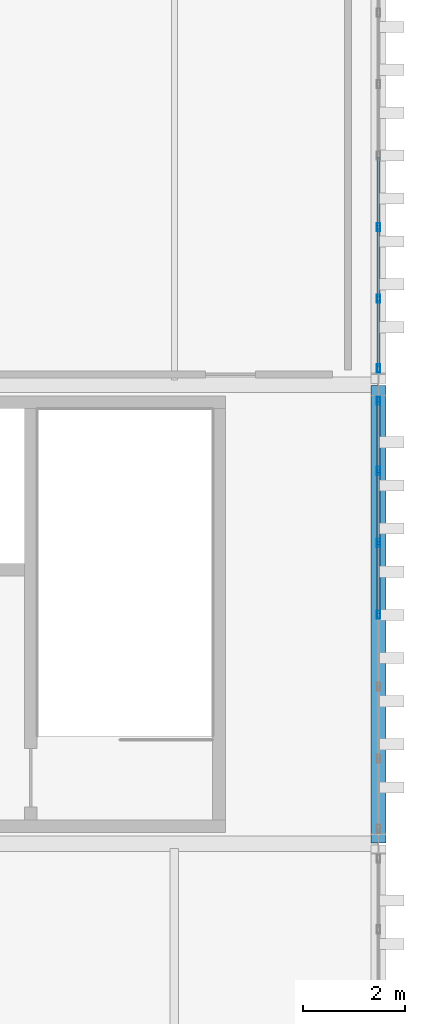
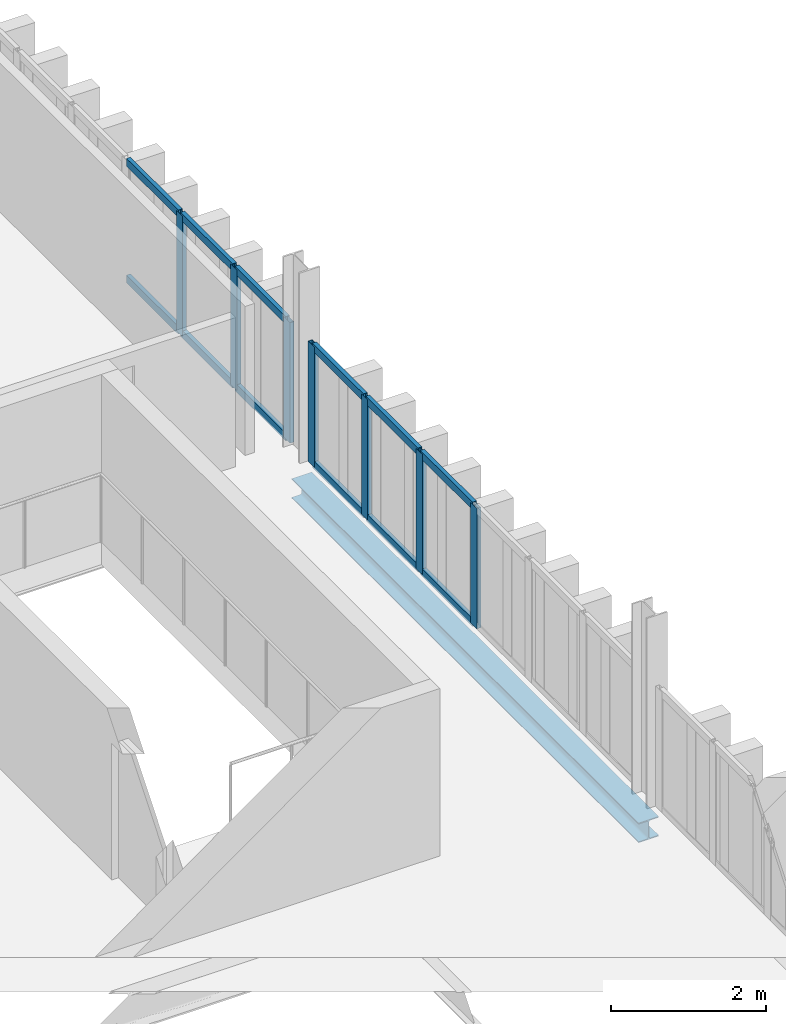
# One storey, part 22 of 58: 19 members, 1 beam, 2 elements without a shape of their own.
"""IFC4 building model written with IfcOpenShell, lengths in metres."""

from ifc_helpers import new_model, si_unit, direction, frame, origin, origin_2d, place, context, subcontext, project, spatial, hollow_rectangle, i_section, extrude, material, layer, layer_set, material_profile, profile_set, type_object, element, aggregate, save


model = new_model("IFC4")

# Units and contexts
model_context = context("Model", 3, precision=1e-05, world=origin(), true_north=direction((0.0, 1.0)))
body_context = subcontext(model_context, "Body", "Model", "MODEL_VIEW")
ifc_project = project(units=[si_unit("LENGTHUNIT", "METRE"), si_unit("AREAUNIT", "SQUARE_METRE"), si_unit("VOLUMEUNIT", "CUBIC_METRE"), si_unit("PLANEANGLEUNIT", "RADIAN"), si_unit("MASSUNIT", "GRAM", prefix="KILO")], contexts=[model_context])

# Site, building, storey
site_placement = place(None, origin())
site = spatial("IfcSite", under=ifc_project, at=site_placement, CompositionType="ELEMENT")
building_placement = place(site_placement, origin())
building = spatial("IfcBuilding", under=site, at=building_placement, Name="Barlavento Convention Centre", CompositionType="ELEMENT")
storey_placement = place(building_placement, frame((0.0, 0.0, 26.800048828125)))
storey = spatial("IfcBuildingStorey", under=building, at=storey_placement, Name="L05", CompositionType="ELEMENT", Elevation=26.800048828125)

# Curtain wall, members
ifc_material_1 = material(Name="Powder-coated aluminium and Low-E glass", Category="aluminium")
ifc_layer = layer(ifc_material_1, 0.18994140625)
ifc_layer_set = layer_set([ifc_layer], Name="ARC-CW-CONF-L05")
curtain_wall_type = type_object("IfcCurtainWallType", Name="ARC-CW-CONF-L05", PredefinedType="NOTDEFINED", material=ifc_layer_set)
curtain_wall_1_placement = place(storey_placement, origin())
curtain_wall_1 = element("IfcCurtainWall", 1, at=curtain_wall_1_placement, inside=storey, type_object=curtain_wall_type, Name="L05 unitised curtain wall CW10", PredefinedType="NOTDEFINED")
ifc_material_2 = material(Name="Powder-coated aluminium", Category="aluminium")
ifc_material_profile_1 = material_profile(ifc_material_2, hollow_rectangle(XDim=0.06005859375, YDim=0.159912109375, WallThickness=0.00390625, at=origin_2d()), Name="AL-MULL 60x160x4")
ifc_profile_set_1 = profile_set([ifc_material_profile_1], Name="Powder-coated aluminium")
member_type_1 = type_object("IfcMemberType", Name="ARC-CWM-60X160", PredefinedType="MULLION", material=ifc_profile_set_1)
member_1_placement = place(storey_placement, frame((192.0, 40.487548828125, 0.0), z_axis=(0.0, 0.0, 1.0), x_axis=(-1.0, 0.0, 0.0)))
member_1 = element("IfcMember", 2, at=member_1_placement, type_object=member_type_1, Name="CW10 mullion 4", PredefinedType="MULLION", context=body_context, shape_type="SweptSolid", body=[
    extrude(hollow_rectangle(XDim=0.06005859375, YDim=0.159912109375, WallThickness=0.00390625, at=origin_2d()), origin(), (0.0, 0.0, 1.0), 1.89990234375),
])
member_2_placement = place(storey_placement, frame((192.0, 41.896728515625, 0.0), z_axis=(0.0, 0.0, 1.0), x_axis=(-1.0, 0.0, 0.0)))
member_2 = element("IfcMember", 3, at=member_2_placement, type_object=member_type_1, Name="CW10 mullion 5", PredefinedType="MULLION", context=body_context, shape_type="SweptSolid", body=[
    extrude(hollow_rectangle(XDim=0.06005859375, YDim=0.159912109375, WallThickness=0.00390625, at=origin_2d()), origin(), (0.0, 0.0, 1.0), 1.89990234375),
])
member_3_placement = place(storey_placement, frame((192.0, 43.305908203125, 0.0), z_axis=(0.0, 0.0, 1.0), x_axis=(-1.0, 0.0, 0.0)))
member_3 = element("IfcMember", 4, at=member_3_placement, type_object=member_type_1, Name="CW10 mullion 6", PredefinedType="MULLION", context=body_context, shape_type="SweptSolid", body=[
    extrude(hollow_rectangle(XDim=0.06005859375, YDim=0.159912109375, WallThickness=0.00390625, at=origin_2d()), origin(), (0.0, 0.0, 1.0), 1.89990234375),
])
member_4_placement = place(storey_placement, frame((192.0, 44.68505859375, 0.0), z_axis=(0.0, 0.0, 1.0), x_axis=(-1.0, 0.0, 0.0)))
member_4 = element("IfcMember", 5, at=member_4_placement, type_object=member_type_1, Name="CW10 mullion 7", PredefinedType="MULLION", context=body_context, shape_type="SweptSolid", body=[
    extrude(hollow_rectangle(XDim=0.06005859375, YDim=0.159912109375, WallThickness=0.00390625, at=origin_2d()), origin(), (0.0, 0.0, 1.0), 1.89990234375),
])

curtain_wall_2_placement = place(storey_placement, origin())
curtain_wall_2 = element("IfcCurtainWall", 6, at=curtain_wall_2_placement, inside=storey, type_object=curtain_wall_type, Name="L05 unitised curtain wall CW10", PredefinedType="NOTDEFINED")
member_5_placement = place(storey_placement, frame((192.0, 45.31494140625, 0.0), z_axis=(0.0, 0.0, 1.0), x_axis=(-1.0, 0.0, 0.0)))
member_5 = element("IfcMember", 7, at=member_5_placement, type_object=member_type_1, Name="CW10 mullion 1", PredefinedType="MULLION", context=body_context, shape_type="SweptSolid", body=[
    extrude(hollow_rectangle(XDim=0.06005859375, YDim=0.159912109375, WallThickness=0.00390625, at=origin_2d()), origin(), (0.0, 0.0, 1.0), 1.89990234375),
])
member_6_placement = place(storey_placement, frame((192.0, 46.685791015625, 0.0), z_axis=(0.0, 0.0, 1.0), x_axis=(-1.0, 0.0, 0.0)))
member_6 = element("IfcMember", 8, at=member_6_placement, type_object=member_type_1, Name="CW10 mullion 2", PredefinedType="MULLION", context=body_context, shape_type="SweptSolid", body=[
    extrude(hollow_rectangle(XDim=0.06005859375, YDim=0.159912109375, WallThickness=0.00390625, at=origin_2d()), origin(), (0.0, 0.0, 1.0), 1.89990234375),
])
member_7_placement = place(storey_placement, frame((192.0, 48.086669921875, 0.0), z_axis=(0.0, 0.0, 1.0), x_axis=(-1.0, 0.0, 0.0)))
member_7 = element("IfcMember", 9, at=member_7_placement, type_object=member_type_1, Name="CW10 mullion 3", PredefinedType="MULLION", context=body_context, shape_type="SweptSolid", body=[
    extrude(hollow_rectangle(XDim=0.06005859375, YDim=0.159912109375, WallThickness=0.00390625, at=origin_2d()), origin(), (0.0, 0.0, 1.0), 1.89990234375),
])

# Member
ifc_material_profile_2 = material_profile(ifc_material_2, hollow_rectangle(XDim=0.06005859375, YDim=0.1201171875, WallThickness=0.00390625, at=origin_2d()), Name="AL-TRAN 60x120x4")
ifc_profile_set_2 = profile_set([ifc_material_profile_2], Name="Powder-coated aluminium")
member_type_2 = type_object("IfcMemberType", Name="ARC-CWT-60X120", PredefinedType="USERDEFINED", material=ifc_profile_set_2)
member_8_placement = place(storey_placement, frame((192.0, 40.517578125, 0.030029296875), z_axis=(0.0, 1.0, 0.0), x_axis=(-1.0, 0.0, 0.0)))
member_8 = element("IfcMember", 10, at=member_8_placement, type_object=member_type_2, Name="CW10 transom 4.1", ObjectType="TRANSOM", PredefinedType="USERDEFINED", context=body_context, shape_type="SweptSolid", body=[
    extrude(hollow_rectangle(XDim=0.06005859375, YDim=0.1201171875, WallThickness=0.00390625, at=origin_2d()), origin(), (0.0, 0.0, 1.0), 1.34912109375),
])

member_9_placement = place(storey_placement, frame((192.0, 40.517578125, 1.869873046875), z_axis=(0.0, 1.0, 0.0), x_axis=(-1.0, 0.0, 0.0)))
member_9 = element("IfcMember", 11, at=member_9_placement, type_object=member_type_2, Name="CW10 transom 4.2", ObjectType="TRANSOM", PredefinedType="USERDEFINED", context=body_context, shape_type="SweptSolid", body=[
    extrude(hollow_rectangle(XDim=0.06005859375, YDim=0.1201171875, WallThickness=0.00390625, at=origin_2d()), origin(), (0.0, 0.0, 1.0), 1.34912109375),
])

member_10_placement = place(storey_placement, frame((192.0, 41.9267578125, 0.030029296875), z_axis=(0.0, 1.0, 0.0), x_axis=(-1.0, 0.0, 0.0)))
member_10 = element("IfcMember", 12, at=member_10_placement, type_object=member_type_2, Name="CW10 transom 5.1", ObjectType="TRANSOM", PredefinedType="USERDEFINED", context=body_context, shape_type="SweptSolid", body=[
    extrude(hollow_rectangle(XDim=0.06005859375, YDim=0.1201171875, WallThickness=0.00390625, at=origin_2d()), origin(), (0.0, 0.0, 1.0), 1.34912109375),
])

member_11_placement = place(storey_placement, frame((192.0, 41.9267578125, 1.869873046875), z_axis=(0.0, 1.0, 0.0), x_axis=(-1.0, 0.0, 0.0)))
member_11 = element("IfcMember", 13, at=member_11_placement, type_object=member_type_2, Name="CW10 transom 5.2", ObjectType="TRANSOM", PredefinedType="USERDEFINED", context=body_context, shape_type="SweptSolid", body=[
    extrude(hollow_rectangle(XDim=0.06005859375, YDim=0.1201171875, WallThickness=0.00390625, at=origin_2d()), origin(), (0.0, 0.0, 1.0), 1.34912109375),
])

member_12_placement = place(storey_placement, frame((192.0, 43.3359375, 0.030029296875), z_axis=(0.0, 1.0, 0.0), x_axis=(-1.0, 0.0, 0.0)))
member_12 = element("IfcMember", 14, at=member_12_placement, type_object=member_type_2, Name="CW10 transom 6.1", ObjectType="TRANSOM", PredefinedType="USERDEFINED", context=body_context, shape_type="SweptSolid", body=[
    extrude(hollow_rectangle(XDim=0.06005859375, YDim=0.1201171875, WallThickness=0.00390625, at=origin_2d()), origin(), (0.0, 0.0, 1.0), 1.319091796875),
])

member_13_placement = place(storey_placement, frame((192.0, 43.3359375, 1.869873046875), z_axis=(0.0, 1.0, 0.0), x_axis=(-1.0, 0.0, 0.0)))
member_13 = element("IfcMember", 15, at=member_13_placement, type_object=member_type_2, Name="CW10 transom 6.2", ObjectType="TRANSOM", PredefinedType="USERDEFINED", context=body_context, shape_type="SweptSolid", body=[
    extrude(hollow_rectangle(XDim=0.06005859375, YDim=0.1201171875, WallThickness=0.00390625, at=origin_2d()), origin(), (0.0, 0.0, 1.0), 1.319091796875),
])

aggregate(curtain_wall_1, [member_1, member_2, member_3, member_4, member_8, member_9, member_10, member_11, member_12, member_13])

member_14_placement = place(storey_placement, frame((192.0, 45.344970703125, 0.030029296875), z_axis=(0.0, 1.0, 0.0), x_axis=(-1.0, 0.0, 0.0)))
member_14 = element("IfcMember", 16, at=member_14_placement, type_object=member_type_2, Name="CW10 transom 1.1", ObjectType="TRANSOM", PredefinedType="USERDEFINED", context=body_context, shape_type="SweptSolid", body=[
    extrude(hollow_rectangle(XDim=0.06005859375, YDim=0.1201171875, WallThickness=0.00390625, at=origin_2d()), origin(), (0.0, 0.0, 1.0), 1.310791015625),
])

member_15_placement = place(storey_placement, frame((192.0, 45.344970703125, 1.869873046875), z_axis=(0.0, 1.0, 0.0), x_axis=(-1.0, 0.0, 0.0)))
member_15 = element("IfcMember", 17, at=member_15_placement, type_object=member_type_2, Name="CW10 transom 1.2", ObjectType="TRANSOM", PredefinedType="USERDEFINED", context=body_context, shape_type="SweptSolid", body=[
    extrude(hollow_rectangle(XDim=0.06005859375, YDim=0.1201171875, WallThickness=0.00390625, at=origin_2d()), origin(), (0.0, 0.0, 1.0), 1.310791015625),
])

member_16_placement = place(storey_placement, frame((192.0, 46.7158203125, 0.030029296875), z_axis=(0.0, 1.0, 0.0), x_axis=(-1.0, 0.0, 0.0)))
member_16 = element("IfcMember", 18, at=member_16_placement, type_object=member_type_2, Name="CW10 transom 2.1", ObjectType="TRANSOM", PredefinedType="USERDEFINED", context=body_context, shape_type="SweptSolid", body=[
    extrude(hollow_rectangle(XDim=0.06005859375, YDim=0.1201171875, WallThickness=0.00390625, at=origin_2d()), origin(), (0.0, 0.0, 1.0), 1.3408203125),
])

member_17_placement = place(storey_placement, frame((192.0, 46.7158203125, 1.869873046875), z_axis=(0.0, 1.0, 0.0), x_axis=(-1.0, 0.0, 0.0)))
member_17 = element("IfcMember", 19, at=member_17_placement, type_object=member_type_2, Name="CW10 transom 2.2", ObjectType="TRANSOM", PredefinedType="USERDEFINED", context=body_context, shape_type="SweptSolid", body=[
    extrude(hollow_rectangle(XDim=0.06005859375, YDim=0.1201171875, WallThickness=0.00390625, at=origin_2d()), origin(), (0.0, 0.0, 1.0), 1.3408203125),
])

member_18_placement = place(storey_placement, frame((192.0, 48.11669921875, 0.030029296875), z_axis=(0.0, 1.0, 0.0), x_axis=(-1.0, 0.0, 0.0)))
member_18 = element("IfcMember", 20, at=member_18_placement, type_object=member_type_2, Name="CW10 transom 3.1", ObjectType="TRANSOM", PredefinedType="USERDEFINED", context=body_context, shape_type="SweptSolid", body=[
    extrude(hollow_rectangle(XDim=0.06005859375, YDim=0.1201171875, WallThickness=0.00390625, at=origin_2d()), origin(), (0.0, 0.0, 1.0), 1.3408203125),
])

member_19_placement = place(storey_placement, frame((192.0, 48.11669921875, 1.869873046875), z_axis=(0.0, 1.0, 0.0), x_axis=(-1.0, 0.0, 0.0)))
member_19 = element("IfcMember", 21, at=member_19_placement, type_object=member_type_2, Name="CW10 transom 3.2", ObjectType="TRANSOM", PredefinedType="USERDEFINED", context=body_context, shape_type="SweptSolid", body=[
    extrude(hollow_rectangle(XDim=0.06005859375, YDim=0.1201171875, WallThickness=0.00390625, at=origin_2d()), origin(), (0.0, 0.0, 1.0), 1.3408203125),
])

aggregate(curtain_wall_2, [member_5, member_6, member_7, member_14, member_15, member_16, member_17, member_18, member_19])

# Beam
ifc_material_3 = material(Name="Steel S355", Category="steel")
ifc_material_profile_3 = material_profile(ifc_material_3, i_section(OverallWidth=0.300048828125, OverallDepth=0.31005859375, WebThickness=0.009033203125, FlangeThickness=0.015380859375, FilletRadius=0.027099609375, at=origin_2d()), Name="HEA 320")
ifc_profile_set_3 = profile_set([ifc_material_profile_3], Name="Steel S355")
beam_type = type_object("IfcBeamType", Name="STR-BM-SPN-HEA320", PredefinedType="SPANDREL", material=ifc_profile_set_3)
beam_placement = place(storey_placement, frame((192.0, 36.02001953125, -0.51513671875), z_axis=(0.0, 1.0, 0.0), x_axis=(-1.0, 0.0, 0.0)))
element("IfcBeam", 22, at=beam_placement, inside=storey, type_object=beam_type, Name="L05 grid girder SP01", PredefinedType="SPANDREL", context=body_context, shape_type="SweptSolid", body=[
    extrude(i_section(OverallWidth=0.300048828125, OverallDepth=0.31005859375, WebThickness=0.009033203125, FlangeThickness=0.015380859375, FilletRadius=0.027099609375, at=origin_2d()), origin(), (0.0, 0.0, 1.0), 8.9599609375),
])

save(model, "model.ifc")
